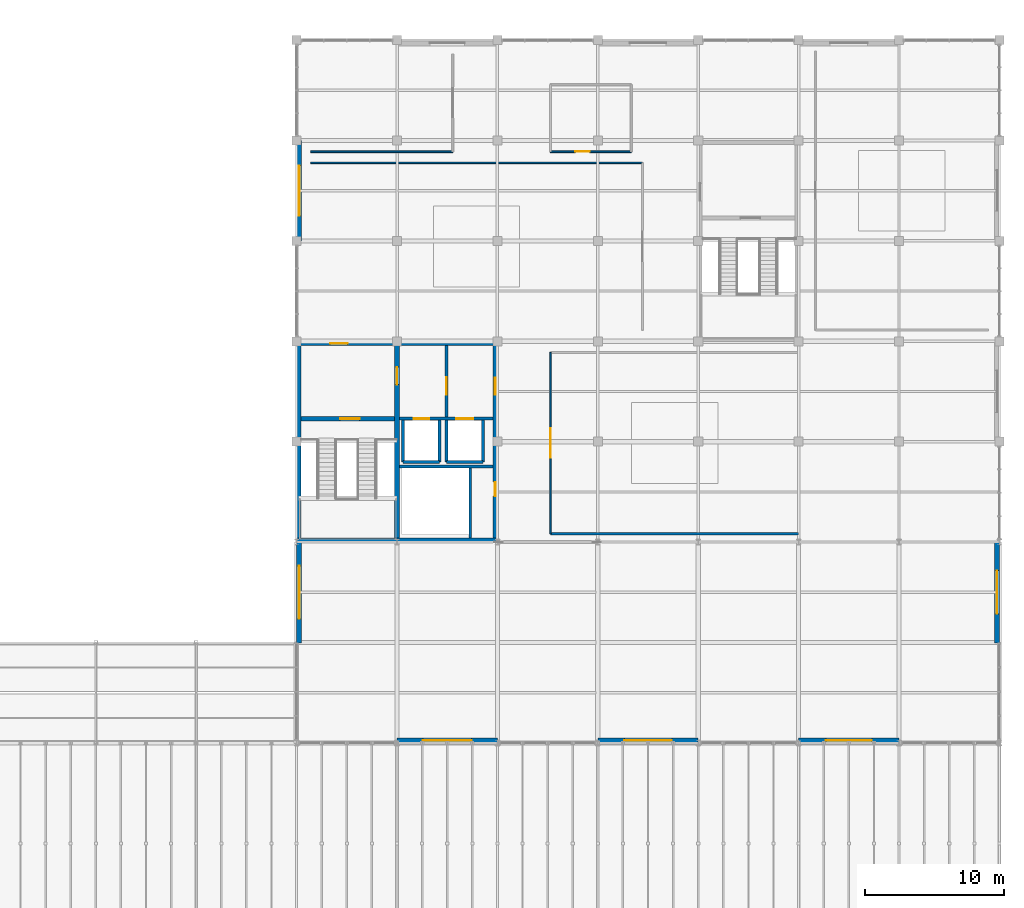
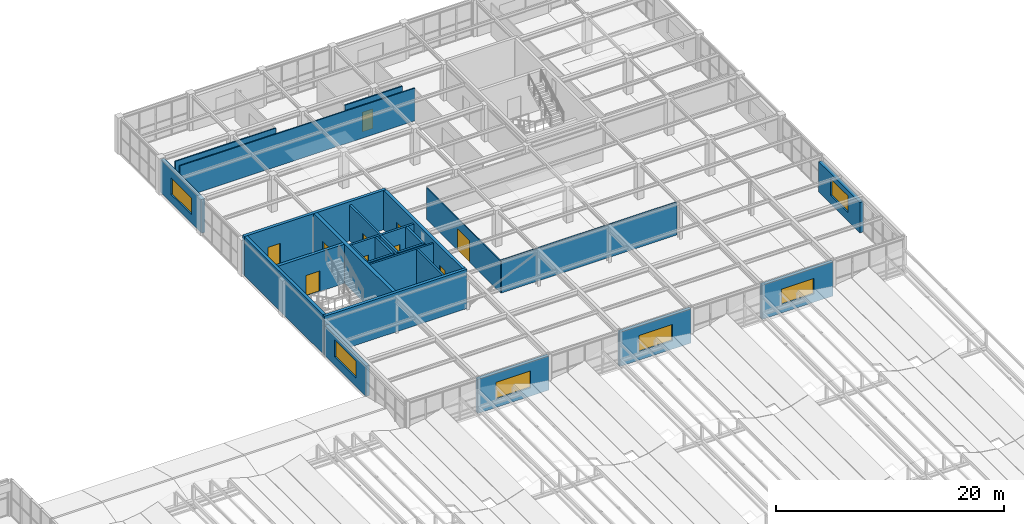
# One storey, part 68 of 83: 27 walls, 10 doors, 6 windows, 16 openings.
"""IFC4 building model written with IfcOpenShell, lengths in metres."""

from ifc_helpers import new_model, si_unit, direction, frame, frame_2d, origin, place, context, subcontext, project, spatial, rectangle, extrude, material, layer, layer_set, type_object, element, fill, save


model = new_model("IFC4")

# Units and contexts
model_context = context("Model", 3, precision=1e-05, world=origin(), true_north=direction((0.0, 1.0)))
body_context = subcontext(model_context, "Body", "Model", "MODEL_VIEW")
ifc_project = project(units=[si_unit("LENGTHUNIT", "METRE"), si_unit("AREAUNIT", "SQUARE_METRE"), si_unit("VOLUMEUNIT", "CUBIC_METRE"), si_unit("PLANEANGLEUNIT", "RADIAN"), si_unit("MASSUNIT", "GRAM", prefix="KILO")], contexts=[model_context])

# Site, building, storey
site_placement = place(None, origin())
site = spatial("IfcSite", under=ifc_project, at=site_placement, CompositionType="ELEMENT")
building_placement = place(site_placement, origin())
building = spatial("IfcBuilding", under=site, at=building_placement, Name="Leyfeld Transit Interchange", CompositionType="ELEMENT")
storey_placement = place(building_placement, frame((0.0, 0.0, 5.39990234375)))
storey = spatial("IfcBuildingStorey", under=building, at=storey_placement, Name="L01", CompositionType="ELEMENT", Elevation=5.39990234375)

# Wall, opening, window
ifc_material_1 = material(Name="Leitha limestone ashlar - Insulated", Category="masonry")
ifc_layer_1 = layer(ifc_material_1, 0.360107421875, Name="Leitha limestone ashlar - Insulated")
ifc_layer_set_1 = layer_set([ifc_layer_1], Name="Leitha limestone ashlar - Insulated")
wall_type_1 = type_object("IfcWallType", Name="WL-EXT-STN-360", PredefinedType="SOLIDWALL", material=ifc_layer_set_1)
wall_1_placement = place(storey_placement, frame((187.02001953125, 57.60009765625, 0.0), z_axis=(0.0, 0.0, 1.0), x_axis=(0.0, -1.0, 0.0)))
wall_1 = element("IfcWall", 1, at=wall_1_placement, inside=storey, type_object=wall_type_1, Name="External Facade Wall EW-L01-067", PredefinedType="SOLIDWALL", context=body_context, shape_type="SweptSolid", body=[
    extrude(rectangle(XDim=7.22998046875, YDim=0.360107421875, at=frame_2d((3.614990234375, 0.0))), origin(), (0.0, 0.0, 1.0), 3.25),
])
opening_1_placement = place(wall_1_placement, frame((2.050048828125, 0.0, 0.89990234375)))
opening_1 = element("IfcOpeningElement", 2, at=opening_1_placement, cuts=wall_1, Name="Opening WM-14", PredefinedType="OPENING", context=body_context, shape_type="SweptSolid", body=[
    extrude(rectangle(XDim=3.10009765625, YDim=1.800048828125, at=frame_2d((1.550048828125, 0.89990234375))), frame((0.0, 0.18994140625, 0.0), z_axis=(0.0, -1.0, 0.0), x_axis=(1.0, 0.0, 0.0)), (0.0, 0.0, 1.0), 0.380126953125),
])
ifc_material_2 = material(Name="Triple low-E insulated glazing", Category="glass")
window_type_1 = type_object("IfcWindowType", Name="WIN-MOD-14", PartitioningType="SINGLE_PANEL", PredefinedType="WINDOW", material=ifc_material_2)
window_1_placement = place(opening_1_placement, origin())
window_1 = element("IfcWindow", 3, at=window_1_placement, inside=storey, type_object=window_type_1, Name="Facade Window L01 039", OverallHeight=1.800048828125, OverallWidth=3.10009765625, PartitioningType="SINGLE_PANEL", PredefinedType="WINDOW", context=body_context, shape_type="SweptSolid", body=[
    extrude(rectangle(XDim=3.10009765625, YDim=1.800048828125, at=frame_2d((1.550048828125, 0.89990234375))), frame((0.0, 0.030029296875, 0.0), z_axis=(0.0, -1.0, 0.0), x_axis=(1.0, 0.0, 0.0)), (0.0, 0.0, 1.0), 0.06005859375),
])
fill(opening_1, window_1)

wall_2_placement = place(storey_placement, frame((180.0, 43.3798828125, 0.0), z_axis=(0.0, 0.0, 1.0), x_axis=(-1.0, 0.0, 0.0)))
wall_2 = element("IfcWall", 4, at=wall_2_placement, inside=storey, type_object=wall_type_1, Name="External Facade Wall EW-L01-068", PredefinedType="SOLIDWALL", context=body_context, shape_type="SweptSolid", body=[
    extrude(rectangle(XDim=7.199951171875, YDim=0.360107421875, at=frame_2d((3.60009765625, 0.0))), origin(), (0.0, 0.0, 1.0), 3.650146484375),
])
opening_2_placement = place(wall_2_placement, frame((1.949951171875, 0.0, 0.89990234375)))
opening_2 = element("IfcOpeningElement", 5, at=opening_2_placement, cuts=wall_2, Name="Opening WM-15", PredefinedType="OPENING", context=body_context, shape_type="SweptSolid", body=[
    extrude(rectangle(XDim=3.300048828125, YDim=1.64990234375, at=frame_2d((1.64990234375, 0.824951171875))), frame((0.0, 0.18994140625, 0.0), z_axis=(0.0, -1.0, 0.0), x_axis=(1.0, 0.0, 0.0)), (0.0, 0.0, 1.0), 0.380126953125),
])
window_type_2 = type_object("IfcWindowType", Name="WIN-MOD-15", PartitioningType="SINGLE_PANEL", PredefinedType="WINDOW", material=ifc_material_2)
window_2_placement = place(opening_2_placement, origin())
window_2 = element("IfcWindow", 6, at=window_2_placement, inside=storey, type_object=window_type_2, Name="Facade Window L01 040", OverallHeight=1.64990234375, OverallWidth=3.300048828125, PartitioningType="SINGLE_PANEL", PredefinedType="WINDOW", context=body_context, shape_type="SweptSolid", body=[
    extrude(rectangle(XDim=3.300048828125, YDim=1.64990234375, at=frame_2d((1.64990234375, 0.824951171875))), frame((0.0, 0.030029296875, 0.0), z_axis=(0.0, -1.0, 0.0), x_axis=(1.0, 0.0, 0.0)), (0.0, 0.0, 1.0), 0.06005859375),
])
fill(opening_2, window_2)

wall_3_placement = place(storey_placement, frame((165.60009765625, 43.3798828125, 0.0), z_axis=(0.0, 0.0, 1.0), x_axis=(-1.0, 0.0, 0.0)))
wall_3 = element("IfcWall", 7, at=wall_3_placement, inside=storey, type_object=wall_type_1, Name="External Facade Wall EW-L01-069", PredefinedType="SOLIDWALL", context=body_context, shape_type="SweptSolid", body=[
    extrude(rectangle(XDim=7.2001953125, YDim=0.360107421875, at=frame_2d((3.60009765625, 0.0))), origin(), (0.0, 0.0, 1.0), 3.650146484375),
])
opening_3_placement = place(wall_3_placement, frame((1.89990234375, 0.0, 0.89990234375)))
opening_3 = element("IfcOpeningElement", 8, at=opening_3_placement, cuts=wall_3, Name="Opening WM-16", PredefinedType="OPENING", context=body_context, shape_type="SweptSolid", body=[
    extrude(rectangle(XDim=3.39990234375, YDim=1.75, at=frame_2d((1.699951171875, 0.875))), frame((0.0, 0.18994140625, 0.0), z_axis=(0.0, -1.0, 0.0), x_axis=(1.0, 0.0, 0.0)), (0.0, 0.0, 1.0), 0.380126953125),
])
window_type_3 = type_object("IfcWindowType", Name="WIN-MOD-16", PartitioningType="SINGLE_PANEL", PredefinedType="WINDOW", material=ifc_material_2)
window_3_placement = place(opening_3_placement, origin())
window_3 = element("IfcWindow", 9, at=window_3_placement, inside=storey, type_object=window_type_3, Name="Facade Window L01 041", OverallHeight=1.75, OverallWidth=3.39990234375, PartitioningType="SINGLE_PANEL", PredefinedType="WINDOW", context=body_context, shape_type="SweptSolid", body=[
    extrude(rectangle(XDim=3.39990234375, YDim=1.75, at=frame_2d((1.699951171875, 0.875))), frame((0.0, 0.030029296875, 0.0), z_axis=(0.0, -1.0, 0.0), x_axis=(1.0, 0.0, 0.0)), (0.0, 0.0, 1.0), 0.06005859375),
])
fill(opening_3, window_3)

wall_4_placement = place(storey_placement, frame((151.199951171875, 43.3798828125, 0.0), z_axis=(0.0, 0.0, 1.0), x_axis=(-1.0, 0.0, 0.0)))
wall_4 = element("IfcWall", 10, at=wall_4_placement, inside=storey, type_object=wall_type_1, Name="External Facade Wall EW-L01-070", PredefinedType="SOLIDWALL", context=body_context, shape_type="SweptSolid", body=[
    extrude(rectangle(XDim=7.199951171875, YDim=0.360107421875, at=frame_2d((3.60009765625, 0.0))), origin(), (0.0, 0.0, 1.0), 3.650146484375),
])
opening_4_placement = place(wall_4_placement, frame((1.85009765625, 0.0, 0.89990234375)))
opening_4 = element("IfcOpeningElement", 11, at=opening_4_placement, cuts=wall_4, Name="Opening WM-17", PredefinedType="OPENING", context=body_context, shape_type="SweptSolid", body=[
    extrude(rectangle(XDim=3.5, YDim=1.800048828125, at=frame_2d((1.75, 0.89990234375))), frame((0.0, 0.18994140625, 0.0), z_axis=(0.0, -1.0, 0.0), x_axis=(1.0, 0.0, 0.0)), (0.0, 0.0, 1.0), 0.380126953125),
])
window_type_4 = type_object("IfcWindowType", Name="WIN-MOD-17", PartitioningType="SINGLE_PANEL", PredefinedType="WINDOW", material=ifc_material_2)
window_4_placement = place(opening_4_placement, origin())
window_4 = element("IfcWindow", 12, at=window_4_placement, inside=storey, type_object=window_type_4, Name="Facade Window L01 042", OverallHeight=1.800048828125, OverallWidth=3.5, PartitioningType="SINGLE_PANEL", PredefinedType="WINDOW", context=body_context, shape_type="SweptSolid", body=[
    extrude(rectangle(XDim=3.5, YDim=1.800048828125, at=frame_2d((1.75, 0.89990234375))), frame((0.0, 0.030029296875, 0.0), z_axis=(0.0, -1.0, 0.0), x_axis=(1.0, 0.0, 0.0)), (0.0, 0.0, 1.0), 0.06005859375),
])
fill(opening_4, window_4)

wall_5_placement = place(storey_placement, frame((136.97998046875, 50.3701171875, 0.0), z_axis=(0.0, 0.0, 1.0), x_axis=(0.0, 1.0, 0.0)))
wall_5 = element("IfcWall", 13, at=wall_5_placement, inside=storey, type_object=wall_type_1, Name="External Facade Wall EW-L01-071", PredefinedType="SOLIDWALL", context=body_context, shape_type="SweptSolid", body=[
    extrude(rectangle(XDim=7.22998046875, YDim=0.360107421875, at=frame_2d((3.614990234375, 0.0))), origin(), (0.0, 0.0, 1.0), 3.25),
])
opening_5_placement = place(wall_5_placement, frame((1.72998046875, 0.0, 0.89990234375)))
opening_5 = element("IfcOpeningElement", 14, at=opening_5_placement, cuts=wall_5, Name="Opening WM-18", PredefinedType="OPENING", context=body_context, shape_type="SweptSolid", body=[
    extrude(rectangle(XDim=3.800048828125, YDim=1.85009765625, at=frame_2d((1.89990234375, 0.925048828125))), frame((0.0, 0.18994140625, 0.0), z_axis=(0.0, -1.0, 0.0), x_axis=(1.0, 0.0, 0.0)), (0.0, 0.0, 1.0), 0.380126953125),
])
window_type_5 = type_object("IfcWindowType", Name="WIN-MOD-18", PartitioningType="SINGLE_PANEL", PredefinedType="WINDOW", material=ifc_material_2)
window_5_placement = place(opening_5_placement, origin())
window_5 = element("IfcWindow", 15, at=window_5_placement, inside=storey, type_object=window_type_5, Name="Facade Window L01 043", OverallHeight=1.85009765625, OverallWidth=3.800048828125, PartitioningType="SINGLE_PANEL", PredefinedType="WINDOW", context=body_context, shape_type="SweptSolid", body=[
    extrude(rectangle(XDim=3.800048828125, YDim=1.85009765625, at=frame_2d((1.89990234375, 0.925048828125))), frame((0.0, 0.030029296875, 0.0), z_axis=(0.0, -1.0, 0.0), x_axis=(1.0, 0.0, 0.0)), (0.0, 0.0, 1.0), 0.06005859375),
])
fill(opening_5, window_5)

wall_6_placement = place(storey_placement, frame((136.97998046875, 79.199951171875, 0.0), z_axis=(0.0, 0.0, 1.0), x_axis=(0.0, 1.0, 0.0)))
wall_6 = element("IfcWall", 16, at=wall_6_placement, inside=storey, type_object=wall_type_1, Name="External Facade Wall EW-L01-072", PredefinedType="SOLIDWALL", context=body_context, shape_type="SweptSolid", body=[
    extrude(rectangle(XDim=7.199951171875, YDim=0.360107421875, at=frame_2d((3.60009765625, 0.0))), origin(), (0.0, 0.0, 1.0), 3.570068359375),
])
opening_6_placement = place(wall_6_placement, frame((1.800048828125, 0.0, 0.89990234375)))
opening_6 = element("IfcOpeningElement", 17, at=opening_6_placement, cuts=wall_6, Name="Opening W-01", PredefinedType="OPENING", context=body_context, shape_type="SweptSolid", body=[
    extrude(rectangle(XDim=3.60009765625, YDim=1.800048828125, at=frame_2d((1.800048828125, 0.89990234375))), frame((0.0, 0.18994140625, 0.0), z_axis=(0.0, -1.0, 0.0), x_axis=(1.0, 0.0, 0.0)), (0.0, 0.0, 1.0), 0.380126953125),
])
window_type_6 = type_object("IfcWindowType", Name="WIN-RIB-3600x1800", PartitioningType="SINGLE_PANEL", PredefinedType="WINDOW", material=ifc_material_2)
window_6_placement = place(opening_6_placement, origin())
window_6 = element("IfcWindow", 18, at=window_6_placement, inside=storey, type_object=window_type_6, Name="Facade Window L01 044", OverallHeight=1.800048828125, OverallWidth=3.60009765625, PartitioningType="SINGLE_PANEL", PredefinedType="WINDOW", context=body_context, shape_type="SweptSolid", body=[
    extrude(rectangle(XDim=3.60009765625, YDim=1.800048828125, at=frame_2d((1.800048828125, 0.89990234375))), frame((0.0, 0.030029296875, 0.0), z_axis=(0.0, -1.0, 0.0), x_axis=(1.0, 0.0, 0.0)), (0.0, 0.0, 1.0), 0.06005859375),
])
fill(opening_6, window_6)

# Wall, opening, door
ifc_material_3 = material(Name="Concrete C35/45", Category="concrete")
ifc_layer_2 = layer(ifc_material_3, 0.199951171875, Name="Concrete C35/45")
ifc_layer_set_2 = layer_set([ifc_layer_2], Name="Concrete C35/45")
wall_type_2 = type_object("IfcWallType", Name="WL-INT-FFL-200", PredefinedType="PARTITIONING", material=ifc_layer_set_2)
wall_7_placement = place(storey_placement, frame((147.550048828125, 66.56005859375, 0.0), z_axis=(0.0, 0.0, 1.0), x_axis=(0.0, 1.0, 0.0)))
wall_7 = element("IfcWall", 19, at=wall_7_placement, inside=storey, type_object=wall_type_2, Name="Core K4 Firefighting Lobby Compartment Wall L01", PredefinedType="PARTITIONING", context=body_context, shape_type="SweptSolid", body=[
    extrude(rectangle(XDim=5.139892578125, YDim=0.199951171875, at=frame_2d((2.56982421875, 0.0))), origin(), (0.0, 0.0, 1.0), 3.85009765625),
])
opening_7_placement = place(wall_7_placement, frame((1.60009765625, 0.0, 0.0)))
opening_7 = element("IfcOpeningElement", 20, at=opening_7_placement, cuts=wall_7, Name="Opening DI-02", PredefinedType="OPENING", context=body_context, shape_type="SweptSolid", body=[
    extrude(rectangle(XDim=1.25, YDim=2.199951171875, at=frame_2d((0.625, 1.10009765625))), frame((0.0, 0.10986328125, 0.0), z_axis=(0.0, -1.0, 0.0), x_axis=(1.0, 0.0, 0.0)), (0.0, 0.0, 1.0), 0.219970703125),
])
ifc_material_4 = material(Name="Galvanised steel S275JR", Category="steel")
door_type_1 = type_object("IfcDoorType", Name="DR-FFL-1250x2200", OperationType="NOTDEFINED", PredefinedType="DOOR", material=ifc_material_4)
door_1_placement = place(opening_7_placement, origin())
door_1 = element("IfcDoor", 21, at=door_1_placement, inside=storey, type_object=door_type_1, Name="DR-FFL-CON-K4-L01", OperationType="SINGLE_SWING_LEFT", OverallHeight=2.199951171875, OverallWidth=1.25, PredefinedType="DOOR", context=body_context, shape_type="SweptSolid", body=[
    extrude(rectangle(XDim=1.25, YDim=2.199951171875, at=frame_2d((0.625, 1.10009765625))), frame((0.0, 0.02490234375, 0.0), z_axis=(0.0, -1.0, 0.0), x_axis=(1.0, 0.0, 0.0)), (0.0, 0.0, 1.0), 0.050048828125),
])
fill(opening_7, door_1)

ifc_material_5 = material(Name="Laminated safety acoustic glazing", Category="glass")
ifc_layer_3 = layer(ifc_material_5, 0.10498046875, Name="Laminated safety acoustic glazing")
ifc_layer_set_3 = layer_set([ifc_layer_3], Name="Laminated safety acoustic glazing")
wall_type_3 = type_object("IfcWallType", Name="WL-INT-GLZ-105", PredefinedType="PARTITIONING", material=ifc_layer_set_3)
wall_8_placement = place(storey_placement, frame((155.0, 58.199951171875, 0.0), z_axis=(0.0, 0.0, 1.0), x_axis=(0.0, 1.0, 0.0)))
wall_8 = element("IfcWall", 22, at=wall_8_placement, inside=storey, type_object=wall_type_3, Name="Interior Partition L01-FAM-01 W", PredefinedType="PARTITIONING", context=body_context, shape_type="SweptSolid", body=[
    extrude(rectangle(XDim=13.0, YDim=0.10498046875, at=frame_2d((6.5, 0.0))), origin(), (0.0, 0.0, 1.0), 3.400146484375),
])
opening_8_placement = place(wall_8_placement, frame((5.449951171875, 0.0, 0.0)))
opening_8 = element("IfcOpeningElement", 23, at=opening_8_placement, cuts=wall_8, Name="Opening DV-10", PredefinedType="OPENING", context=body_context, shape_type="SweptSolid", body=[
    extrude(rectangle(XDim=2.10009765625, YDim=2.300048828125, at=frame_2d((1.050048828125, 1.14990234375))), frame((0.0, 0.0625, 0.0), z_axis=(0.0, -1.0, 0.0), x_axis=(1.0, 0.0, 0.0)), (0.0, 0.0, 1.0), 0.125),
])
ifc_material_6 = material(Name="Austrian larch glulam GL28h", Category="wood")
door_type_2 = type_object("IfcDoorType", Name="DR-VAR-10", OperationType="NOTDEFINED", PredefinedType="DOOR", material=ifc_material_6)
door_2_placement = place(opening_8_placement, origin())
door_2 = element("IfcDoor", 24, at=door_2_placement, inside=storey, type_object=door_type_2, Name="DR-L01-FAM-01", OperationType="DOUBLE_DOOR_SINGLE_SWING", OverallHeight=2.300048828125, OverallWidth=2.10009765625, PredefinedType="DOOR", context=body_context, shape_type="SweptSolid", body=[
    extrude(rectangle(XDim=2.10009765625, YDim=2.300048828125, at=frame_2d((1.050048828125, 1.14990234375))), frame((0.0, 0.02490234375, 0.0), z_axis=(0.0, -1.0, 0.0), x_axis=(1.0, 0.0, 0.0)), (0.0, 0.0, 1.0), 0.050048828125),
])
fill(opening_8, door_2)

# Walls
ifc_material_7 = material(Name="Gypsum plasterboard acoustic stud", Category="gypsum")
ifc_layer_4 = layer(ifc_material_7, 0.114990234375, Name="Gypsum plasterboard acoustic stud")
ifc_layer_set_4 = layer_set([ifc_layer_4], Name="Gypsum plasterboard acoustic stud")
wall_type_4 = type_object("IfcWallType", Name="WL-INT-OFF-115", PredefinedType="PARTITIONING", material=ifc_layer_set_4)
wall_9_placement = place(storey_placement, frame((137.800048828125, 84.800048828125, 0.0), z_axis=(0.0, 0.0, 1.0), x_axis=(1.0, 0.0, 0.0)))
element("IfcWall", 25, at=wall_9_placement, inside=storey, type_object=wall_type_4, Name="Interior Partition L01-COW-01 N", PredefinedType="PARTITIONING", context=body_context, shape_type="SweptSolid", body=[
    extrude(rectangle(XDim=23.800048828125, YDim=0.114990234375, at=frame_2d((11.89990234375, 0.0))), origin(), (0.0, 0.0, 1.0), 3.5),
])
ifc_material_8 = material(Name="Calcium silicate masonry", Category="masonry")
ifc_layer_5 = layer(ifc_material_8, 0.18994140625, Name="Calcium silicate masonry")
ifc_layer_set_5 = layer_set([ifc_layer_5], Name="Calcium silicate masonry")
wall_type_5 = type_object("IfcWallType", Name="WL-INT-PLT-190", PredefinedType="PARTITIONING", material=ifc_layer_set_5)
wall_10_placement = place(storey_placement, frame((144.179931640625, 63.02001953125, 0.0), z_axis=(0.0, 0.0, 1.0), x_axis=(1.0, 0.0, 0.0)))
element("IfcWall", 26, at=wall_10_placement, inside=storey, type_object=wall_type_5, Name="Core K4 Riser Compartment Wall L01", PredefinedType="PARTITIONING", context=body_context, shape_type="SweptSolid", body=[
    extrude(rectangle(XDim=6.719970703125, YDim=0.18994140625, at=frame_2d((3.35986328125, 0.0))), origin(), (0.0, 0.0, 1.0), 3.85009765625),
])
wall_11_placement = place(storey_placement, frame((149.25, 57.89990234375, 0.0), z_axis=(0.0, 0.0, 1.0), x_axis=(0.0, 1.0, 0.0)))
element("IfcWall", 27, at=wall_11_placement, inside=storey, type_object=wall_type_5, Name="Core K4 Riser Shaft East Wall L01", PredefinedType="PARTITIONING", context=body_context, shape_type="SweptSolid", body=[
    extrude(rectangle(XDim=5.030029296875, YDim=0.18994140625, at=frame_2d((2.51513671875, 0.0))), origin(), (0.0, 0.0, 1.0), 3.85009765625),
])

# Wall, openings, doors
ifc_layer_6 = layer(ifc_material_3, 0.219970703125, Name="Concrete C35/45")
ifc_layer_set_6 = layer_set([ifc_layer_6], Name="Concrete C35/45")
wall_type_6 = type_object("IfcWallType", Name="WL-INT-SHF-220", PredefinedType="PARTITIONING", material=ifc_layer_set_6)
wall_12_placement = place(storey_placement, frame((144.179931640625, 66.449951171875, 0.0), z_axis=(0.0, 0.0, 1.0), x_axis=(1.0, 0.0, 0.0)))
wall_12 = element("IfcWall", 28, at=wall_12_placement, inside=storey, type_object=wall_type_6, Name="Core K4 Lift Shaft Front Wall L01", PredefinedType="PARTITIONING", context=body_context, shape_type="SweptSolid", body=[
    extrude(rectangle(XDim=6.719970703125, YDim=0.219970703125, at=frame_2d((3.35986328125, 0.0))), origin(), (0.0, 0.0, 1.0), 3.85009765625),
])
opening_9_placement = place(wall_12_placement, frame((1.02001953125, 0.0, 0.0)))
opening_9 = element("IfcOpeningElement", 29, at=opening_9_placement, cuts=wall_12, Name="Opening LD-01", PredefinedType="OPENING", context=body_context, shape_type="SweptSolid", body=[
    extrude(rectangle(XDim=1.10009765625, YDim=2.14990234375, at=frame_2d((0.550048828125, 1.074951171875))), frame((0.0, 0.119873046875, 0.0), z_axis=(0.0, -1.0, 0.0), x_axis=(1.0, 0.0, 0.0)), (0.0, 0.0, 1.0), 0.239990234375),
])
opening_10_placement = place(wall_12_placement, frame((4.070068359375, 0.0, 0.0)))
opening_10 = element("IfcOpeningElement", 30, at=opening_10_placement, cuts=wall_12, Name="Opening LD-02", PredefinedType="OPENING", context=body_context, shape_type="SweptSolid", body=[
    extrude(rectangle(XDim=1.199951171875, YDim=2.14990234375, at=frame_2d((0.60009765625, 1.074951171875))), frame((0.0, 0.119873046875, 0.0), z_axis=(0.0, -1.0, 0.0), x_axis=(1.0, 0.0, 0.0)), (0.0, 0.0, 1.0), 0.239990234375),
])
ifc_material_9 = material(Name="Stainless steel EN 1.4404", Category="steel")
door_type_3 = type_object("IfcDoorType", Name="DR-LD-FFL-1100x2150", OperationType="NOTDEFINED", PredefinedType="DOOR", material=ifc_material_9)
door_3_placement = place(opening_9_placement, origin())
door_3 = element("IfcDoor", 31, at=door_3_placement, inside=storey, type_object=door_type_3, Name="LD-FFL-2-L01", OperationType="DOUBLE_DOOR_SLIDING", OverallHeight=2.14990234375, OverallWidth=1.10009765625, PredefinedType="DOOR", context=body_context, shape_type="SweptSolid", body=[
    extrude(rectangle(XDim=1.10009765625, YDim=2.14990234375, at=frame_2d((0.550048828125, 1.074951171875))), frame((0.0, 0.02490234375, 0.0), z_axis=(0.0, -1.0, 0.0), x_axis=(1.0, 0.0, 0.0)), (0.0, 0.0, 1.0), 0.050048828125),
])
fill(opening_9, door_3)
door_type_4 = type_object("IfcDoorType", Name="DR-LD-PAS-1200x2150", OperationType="NOTDEFINED", PredefinedType="DOOR", material=ifc_material_9)
door_4_placement = place(opening_10_placement, origin())
door_4 = element("IfcDoor", 32, at=door_4_placement, inside=storey, type_object=door_type_4, Name="LD-PL-4-L01", OperationType="DOUBLE_DOOR_SLIDING", OverallHeight=2.14990234375, OverallWidth=1.199951171875, PredefinedType="DOOR", context=body_context, shape_type="SweptSolid", body=[
    extrude(rectangle(XDim=1.199951171875, YDim=2.14990234375, at=frame_2d((0.60009765625, 1.074951171875))), frame((0.0, 0.02490234375, 0.0), z_axis=(0.0, -1.0, 0.0), x_axis=(1.0, 0.0, 0.0)), (0.0, 0.0, 1.0), 0.050048828125),
])
fill(opening_10, door_4)

# Walls
wall_13_placement = place(storey_placement, frame((144.43994140625, 63.340087890625, 0.0), z_axis=(0.0, 0.0, 1.0), x_axis=(1.0, 0.0, 0.0)))
element("IfcWall", 33, at=wall_13_placement, inside=storey, type_object=wall_type_6, Name="Core K4 Lift FFL-2 Shaft Back Wall L01", PredefinedType="PARTITIONING", context=body_context, shape_type="SweptSolid", body=[
    extrude(rectangle(XDim=2.6201171875, YDim=0.219970703125, at=frame_2d((1.31005859375, 0.0))), origin(), (0.0, 0.0, 1.0), 3.85009765625),
])
for number, where, z_axis, x_axis, name in (
    (34, (144.43994140625, 63.340087890625, 0.0), (0.0, 0.0, 1.0), (0.0, 1.0, 0.0), "Core K4 Lift FFL-2 Shaft Wall W L01"),
    (35, (147.06005859375, 63.340087890625, 0.0), (0.0, 0.0, 1.0), (0.0, 1.0, 0.0), "Core K4 Lift FFL-2 Shaft Wall E L01"),
):
    element("IfcWall", number, at=place(storey_placement, frame(where, z_axis=z_axis, x_axis=x_axis)), inside=storey, type_object=wall_type_6, Name=name, PredefinedType="PARTITIONING", context=body_context, shape_type="SweptSolid", body=[
        extrude(rectangle(XDim=3.0, YDim=0.219970703125, at=frame_2d((1.5, 0.0))), origin(), (0.0, 0.0, 1.0), 3.85009765625),
    ])
wall_14_placement = place(storey_placement, frame((147.5400390625, 63.340087890625, 0.0), z_axis=(0.0, 0.0, 1.0), x_axis=(1.0, 0.0, 0.0)))
element("IfcWall", 36, at=wall_14_placement, inside=storey, type_object=wall_type_6, Name="Core K4 Lift PL-4 Shaft Back Wall L01", PredefinedType="PARTITIONING", context=body_context, shape_type="SweptSolid", body=[
    extrude(rectangle(XDim=2.619873046875, YDim=0.219970703125, at=frame_2d((1.31005859375, 0.0))), origin(), (0.0, 0.0, 1.0), 3.85009765625),
])
for number, where, z_axis, x_axis, name in (
    (37, (147.5400390625, 63.340087890625, 0.0), (0.0, 0.0, 1.0), (0.0, 1.0, 0.0), "Core K4 Lift PL-4 Shaft Wall W L01"),
    (38, (150.159912109375, 63.340087890625, 0.0), (0.0, 0.0, 1.0), (0.0, 1.0, 0.0), "Core K4 Lift PL-4 Shaft Wall E L01"),
):
    element("IfcWall", number, at=place(storey_placement, frame(where, z_axis=z_axis, x_axis=x_axis)), inside=storey, type_object=wall_type_6, Name=name, PredefinedType="PARTITIONING", context=body_context, shape_type="SweptSolid", body=[
        extrude(rectangle(XDim=3.0, YDim=0.219970703125, at=frame_2d((1.5, 0.0))), origin(), (0.0, 0.0, 1.0), 3.85009765625),
    ])
ifc_layer_7 = layer(ifc_material_7, 0.14501953125, Name="Gypsum plasterboard acoustic stud")
ifc_layer_set_7 = layer_set([ifc_layer_7], Name="Gypsum plasterboard acoustic stud")
wall_type_7 = type_object("IfcWallType", Name="WL-INT-STD-145", PredefinedType="PARTITIONING", material=ifc_layer_set_7)
wall_15_placement = place(storey_placement, frame((172.800048828125, 58.199951171875, 0.0), z_axis=(0.0, 0.0, 1.0), x_axis=(-1.0, 0.0, 0.0)))
element("IfcWall", 39, at=wall_15_placement, inside=storey, type_object=wall_type_7, Name="Interior Partition L01-FAM-01 S", PredefinedType="PARTITIONING", context=body_context, shape_type="SweptSolid", body=[
    extrude(rectangle(XDim=17.800048828125, YDim=0.14501953125, at=frame_2d((8.89990234375, 0.0))), origin(), (0.0, 0.0, 1.0), 3.5),
])
ifc_material_10 = material(Name="Autoclaved aerated blockwork G4", Category="masonry")
ifc_layer_8 = layer(ifc_material_10, 0.125, Name="Autoclaved aerated blockwork G4")
ifc_layer_set_8 = layer_set([ifc_layer_8], Name="Autoclaved aerated blockwork G4")
wall_type_8 = type_object("IfcWallType", Name="WL-INT-WC-125", PredefinedType="PARTITIONING", material=ifc_layer_set_8)
wall_16_placement = place(storey_placement, frame((148.0, 85.60009765625, 0.0), z_axis=(0.0, 0.0, 1.0), x_axis=(-1.0, 0.0, 0.0)))
element("IfcWall", 40, at=wall_16_placement, inside=storey, type_object=wall_type_8, Name="Interior Partition L01-WCM-01 S", PredefinedType="PARTITIONING", context=body_context, shape_type="SweptSolid", body=[
    extrude(rectangle(XDim=10.199951171875, YDim=0.125, at=frame_2d((5.10009765625, 0.0))), origin(), (0.0, 0.0, 1.0), 3.5),
])

# Wall, opening, door
wall_17_placement = place(storey_placement, frame((160.800048828125, 85.60009765625, 0.0), z_axis=(0.0, 0.0, 1.0), x_axis=(-1.0, 0.0, 0.0)))
wall_17 = element("IfcWall", 41, at=wall_17_placement, inside=storey, type_object=wall_type_8, Name="Interior Partition L01-WCA-02 S", PredefinedType="PARTITIONING", context=body_context, shape_type="SweptSolid", body=[
    extrude(rectangle(XDim=5.800048828125, YDim=0.125, at=frame_2d((2.89990234375, 0.0))), origin(), (0.0, 0.0, 1.0), 3.5),
])
opening_11_placement = place(wall_17_placement, frame((2.97509765625, 0.0, 0.0)))
opening_11 = element("IfcOpeningElement", 42, at=opening_11_placement, cuts=wall_17, Name="Opening DI-09", PredefinedType="OPENING", context=body_context, shape_type="SweptSolid", body=[
    extrude(rectangle(XDim=1.050048828125, YDim=2.10009765625, at=frame_2d((0.52490234375, 1.050048828125))), frame((0.0, 0.072509765625, 0.0), z_axis=(0.0, -1.0, 0.0), x_axis=(1.0, 0.0, 0.0)), (0.0, 0.0, 1.0), 0.14501953125),
])
door_type_5 = type_object("IfcDoorType", Name="DR-WCA-1050x2100", OperationType="NOTDEFINED", PredefinedType="DOOR", material=ifc_material_6)
door_5_placement = place(opening_11_placement, origin())
door_5 = element("IfcDoor", 43, at=door_5_placement, inside=storey, type_object=door_type_5, Name="DR-L01-WCA-02", OperationType="SINGLE_SWING_RIGHT", OverallHeight=2.10009765625, OverallWidth=1.050048828125, PredefinedType="DOOR", context=body_context, shape_type="SweptSolid", body=[
    extrude(rectangle(XDim=1.050048828125, YDim=2.10009765625, at=frame_2d((0.52490234375, 1.050048828125))), frame((0.0, 0.02490234375, 0.0), z_axis=(0.0, -1.0, 0.0), x_axis=(1.0, 0.0, 0.0)), (0.0, 0.0, 1.0), 0.050048828125),
])
fill(opening_11, door_5)

ifc_layer_9 = layer(ifc_material_3, 0.300048828125, Name="Concrete C35/45")
ifc_layer_set_9 = layer_set([ifc_layer_9], Name="Concrete C35/45")
wall_type_9 = type_object("IfcWallType", Name="WL-SH-300", PredefinedType="SHEAR", material=ifc_layer_set_9)
wall_18_placement = place(storey_placement, frame((136.800048828125, 71.85009765625, 0.0), z_axis=(0.0, 0.0, 1.0), x_axis=(1.0, 0.0, 0.0)))
wall_18 = element("IfcWall", 44, at=wall_18_placement, inside=storey, type_object=wall_type_9, Name="Core K4 Shear Wall N L01", PredefinedType="SHEAR", context=body_context, shape_type="SweptSolid", body=[
    extrude(rectangle(XDim=14.39990234375, YDim=0.300048828125, at=frame_2d((7.199951171875, 0.0))), origin(), (0.0, 0.0, 1.0), 4.2001953125),
])
opening_12_placement = place(wall_18_placement, frame((2.39990234375, 0.0, 0.0)))
opening_12 = element("IfcOpeningElement", 45, at=opening_12_placement, cuts=wall_18, Name="Opening DI-02", PredefinedType="OPENING", context=body_context, shape_type="SweptSolid", body=[
    extrude(rectangle(XDim=1.25, YDim=2.199951171875, at=frame_2d((0.625, 1.10009765625))), frame((0.0, 0.159912109375, 0.0), z_axis=(0.0, -1.0, 0.0), x_axis=(1.0, 0.0, 0.0)), (0.0, 0.0, 1.0), 0.320068359375),
])
door_6_placement = place(opening_12_placement, origin())
door_6 = element("IfcDoor", 46, at=door_6_placement, inside=storey, type_object=door_type_1, Name="DR-CORE-OUT-K4-L01-N", OperationType="SINGLE_SWING_LEFT", OverallHeight=2.199951171875, OverallWidth=1.25, PredefinedType="DOOR", context=body_context, shape_type="SweptSolid", body=[
    extrude(rectangle(XDim=1.25, YDim=2.199951171875, at=frame_2d((0.625, 1.10009765625))), frame((0.0, 0.02490234375, 0.0), z_axis=(0.0, -1.0, 0.0), x_axis=(1.0, 0.0, 0.0)), (0.0, 0.0, 1.0), 0.050048828125),
])
fill(opening_12, door_6)

# Wall, openings, doors
wall_19_placement = place(storey_placement, frame((151.050048828125, 71.699951171875, 0.0), z_axis=(0.0, 0.0, 1.0), x_axis=(0.0, -1.0, 0.0)))
wall_19 = element("IfcWall", 47, at=wall_19_placement, inside=storey, type_object=wall_type_9, Name="Core K4 Shear Wall E L01", PredefinedType="SHEAR", context=body_context, shape_type="SweptSolid", body=[
    extrude(rectangle(XDim=13.800048828125, YDim=0.300048828125, at=frame_2d((6.89990234375, 0.0))), origin(), (0.0, 0.0, 1.0), 4.2001953125),
])
opening_13_placement = place(wall_19_placement, frame((9.800048828125, 0.0, 0.0)))
opening_13 = element("IfcOpeningElement", 48, at=opening_13_placement, cuts=wall_19, Name="Opening DI-05", PredefinedType="OPENING", context=body_context, shape_type="SweptSolid", body=[
    extrude(rectangle(XDim=1.0, YDim=2.14990234375, at=frame_2d((0.5, 1.074951171875))), frame((0.0, 0.159912109375, 0.0), z_axis=(0.0, -1.0, 0.0), x_axis=(1.0, 0.0, 0.0)), (0.0, 0.0, 1.0), 0.320068359375),
])
opening_14_placement = place(wall_19_placement, frame((2.300048828125, 0.0, 0.0)))
opening_14 = element("IfcOpeningElement", 49, at=opening_14_placement, cuts=wall_19, Name="Opening DI-02", PredefinedType="OPENING", context=body_context, shape_type="SweptSolid", body=[
    extrude(rectangle(XDim=1.25, YDim=2.199951171875, at=frame_2d((0.625, 1.10009765625))), frame((0.0, 0.159912109375, 0.0), z_axis=(0.0, -1.0, 0.0), x_axis=(1.0, 0.0, 0.0)), (0.0, 0.0, 1.0), 0.320068359375),
])
door_7_placement = place(opening_14_placement, origin())
door_7 = element("IfcDoor", 50, at=door_7_placement, inside=storey, type_object=door_type_1, Name="DR-CORE-OUT-K4-L01-E", OperationType="SINGLE_SWING_RIGHT", OverallHeight=2.199951171875, OverallWidth=1.25, PredefinedType="DOOR", context=body_context, shape_type="SweptSolid", body=[
    extrude(rectangle(XDim=1.25, YDim=2.199951171875, at=frame_2d((0.625, 1.10009765625))), frame((0.0, 0.02490234375, 0.0), z_axis=(0.0, -1.0, 0.0), x_axis=(1.0, 0.0, 0.0)), (0.0, 0.0, 1.0), 0.050048828125),
])
fill(opening_14, door_7)
door_type_6 = type_object("IfcDoorType", Name="DR-OFF-1000x2150", OperationType="NOTDEFINED", PredefinedType="DOOR", material=ifc_material_6)
door_8_placement = place(opening_13_placement, origin())
door_8 = element("IfcDoor", 51, at=door_8_placement, inside=storey, type_object=door_type_6, Name="DR-RSR-K4-L01", OperationType="SINGLE_SWING_RIGHT", OverallHeight=2.14990234375, OverallWidth=1.0, PredefinedType="DOOR", context=body_context, shape_type="SweptSolid", body=[
    extrude(rectangle(XDim=1.0, YDim=2.14990234375, at=frame_2d((0.5, 1.074951171875))), frame((0.0, 0.02490234375, 0.0), z_axis=(0.0, -1.0, 0.0), x_axis=(1.0, 0.0, 0.0)), (0.0, 0.0, 1.0), 0.050048828125),
])
fill(opening_13, door_8)

# Walls
wall_20_placement = place(storey_placement, frame((151.199951171875, 57.75, 0.0), z_axis=(0.0, 0.0, 1.0), x_axis=(-1.0, 0.0, 0.0)))
element("IfcWall", 52, at=wall_20_placement, inside=storey, type_object=wall_type_9, Name="Core K4 Shear Wall S L01", PredefinedType="SHEAR", context=body_context, shape_type="SweptSolid", body=[
    extrude(rectangle(XDim=14.39990234375, YDim=0.300048828125, at=frame_2d((7.199951171875, 0.0))), origin(), (0.0, 0.0, 1.0), 4.2001953125),
])
wall_21_placement = place(storey_placement, frame((136.949951171875, 57.89990234375, 0.0), z_axis=(0.0, 0.0, 1.0), x_axis=(0.0, 1.0, 0.0)))
element("IfcWall", 53, at=wall_21_placement, inside=storey, type_object=wall_type_9, Name="Core K4 Shear Wall W L01", PredefinedType="SHEAR", context=body_context, shape_type="SweptSolid", body=[
    extrude(rectangle(XDim=13.800048828125, YDim=0.300048828125, at=frame_2d((6.89990234375, 0.0))), origin(), (0.0, 0.0, 1.0), 4.2001953125),
])

# Wall, opening, door
wall_22_placement = place(storey_placement, frame((137.10009765625, 66.449951171875, 0.0), z_axis=(0.0, 0.0, 1.0), x_axis=(1.0, 0.0, 0.0)))
wall_22 = element("IfcWall", 54, at=wall_22_placement, inside=storey, type_object=wall_type_9, Name="Core K4 Shear Wall STRN L01", PredefinedType="SHEAR", context=body_context, shape_type="SweptSolid", body=[
    extrude(rectangle(XDim=6.724853515625, YDim=0.300048828125, at=frame_2d((3.3623046875, 0.0))), origin(), (0.0, 0.0, 1.0), 4.2001953125),
])
opening_15_placement = place(wall_22_placement, frame((2.824951171875, 0.0, 0.0)))
opening_15 = element("IfcOpeningElement", 55, at=opening_15_placement, cuts=wall_22, Name="Opening DI-01", PredefinedType="OPENING", context=body_context, shape_type="SweptSolid", body=[
    extrude(rectangle(XDim=1.39990234375, YDim=2.199951171875, at=frame_2d((0.699951171875, 1.10009765625))), frame((0.0, 0.159912109375, 0.0), z_axis=(0.0, -1.0, 0.0), x_axis=(1.0, 0.0, 0.0)), (0.0, 0.0, 1.0), 0.320068359375),
])
door_type_7 = type_object("IfcDoorType", Name="DR-STR-1400x2200", OperationType="NOTDEFINED", PredefinedType="DOOR", material=ifc_material_4)
door_9_placement = place(opening_15_placement, origin())
door_9 = element("IfcDoor", 56, at=door_9_placement, inside=storey, type_object=door_type_7, Name="DR-STR-INT-K4-L01", OperationType="SINGLE_SWING_RIGHT", OverallHeight=2.199951171875, OverallWidth=1.39990234375, PredefinedType="DOOR", context=body_context, shape_type="SweptSolid", body=[
    extrude(rectangle(XDim=1.39990234375, YDim=2.199951171875, at=frame_2d((0.699951171875, 1.10009765625))), frame((0.0, 0.02490234375, 0.0), z_axis=(0.0, -1.0, 0.0), x_axis=(1.0, 0.0, 0.0)), (0.0, 0.0, 1.0), 0.050048828125),
])
fill(opening_15, door_9)

ifc_layer_10 = layer(ifc_material_3, 0.35009765625, Name="Concrete C35/45")
ifc_layer_set_10 = layer_set([ifc_layer_10], Name="Concrete C35/45")
wall_type_10 = type_object("IfcWallType", Name="WL-SH-350", PredefinedType="SHEAR", material=ifc_layer_set_10)
wall_23_placement = place(storey_placement, frame((144.0, 71.699951171875, 0.0), z_axis=(0.0, 0.0, 1.0), x_axis=(0.0, -1.0, 0.0)))
wall_23 = element("IfcWall", 57, at=wall_23_placement, inside=storey, type_object=wall_type_10, Name="Core K4 Shear Wall MID L01", PredefinedType="SHEAR", context=body_context, shape_type="SweptSolid", body=[
    extrude(rectangle(XDim=13.800048828125, YDim=0.35009765625, at=frame_2d((6.89990234375, 0.0))), origin(), (0.0, 0.0, 1.0), 4.2001953125),
])
opening_16_placement = place(wall_23_placement, frame((1.550048828125, 0.0, 0.0)))
opening_16 = element("IfcOpeningElement", 58, at=opening_16_placement, cuts=wall_23, Name="Opening DI-02", PredefinedType="OPENING", context=body_context, shape_type="SweptSolid", body=[
    extrude(rectangle(XDim=1.25, YDim=2.199951171875, at=frame_2d((0.625, 1.10009765625))), frame((0.0, 0.18505859375, 0.0), z_axis=(0.0, -1.0, 0.0), x_axis=(1.0, 0.0, 0.0)), (0.0, 0.0, 1.0), 0.3701171875),
])
door_10_placement = place(opening_16_placement, origin())
door_10 = element("IfcDoor", 59, at=door_10_placement, inside=storey, type_object=door_type_1, Name="DR-CORE-MID-K4-L01", OperationType="SINGLE_SWING_LEFT", OverallHeight=2.199951171875, OverallWidth=1.25, PredefinedType="DOOR", context=body_context, shape_type="SweptSolid", body=[
    extrude(rectangle(XDim=1.25, YDim=2.199951171875, at=frame_2d((0.625, 1.10009765625))), frame((0.0, 0.02490234375, 0.0), z_axis=(0.0, -1.0, 0.0), x_axis=(1.0, 0.0, 0.0)), (0.0, 0.0, 1.0), 0.050048828125),
])
fill(opening_16, door_10)

save(model, "model.ifc")
